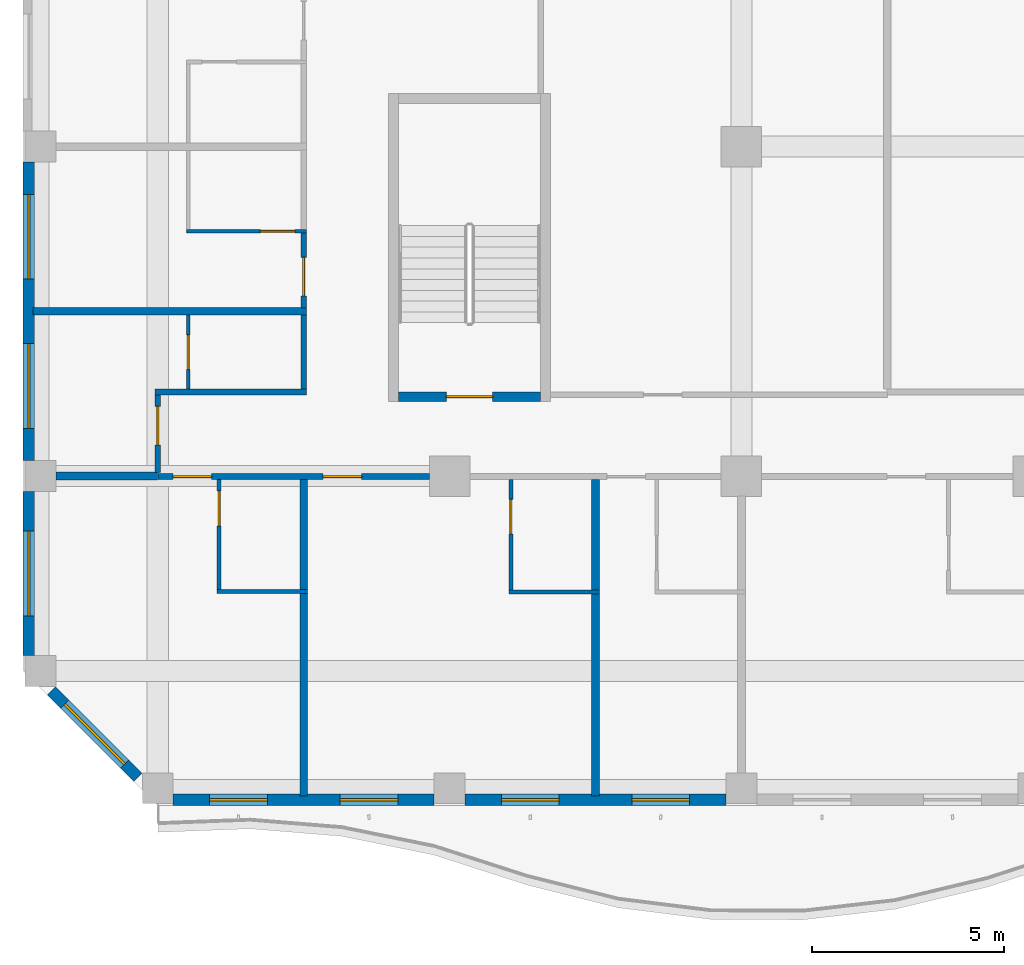
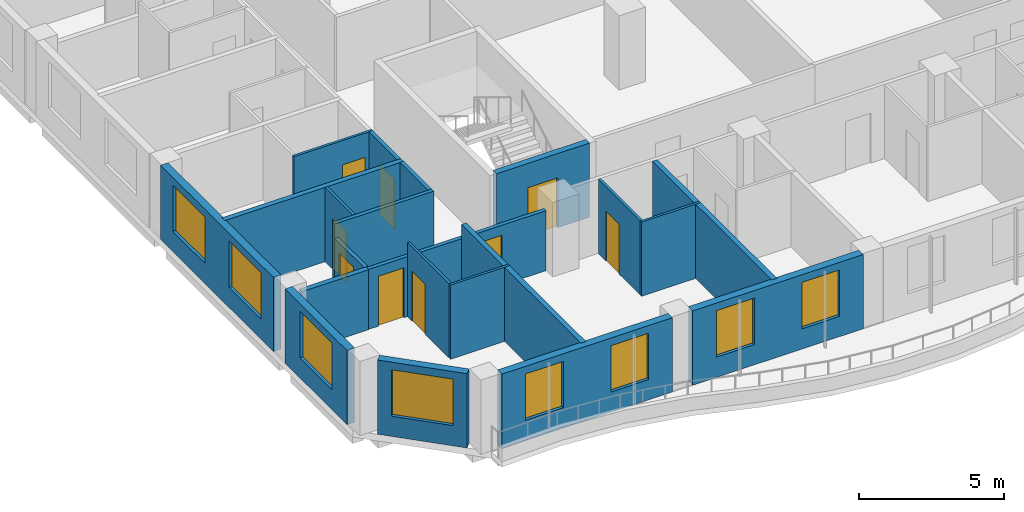
# One storey, part 2 of 21: 23 walls, 9 doors, 8 windows, 17 openings.
"""IFC4 building model written with IfcOpenShell, lengths in metres."""

from ifc_helpers import new_model, si_unit, direction, frame, frame_2d, origin, place, context, subcontext, project, spatial, rectangle, extrude, source, transform, mapped, material, layer, layer_set, type_object, element, fill, save


model = new_model("IFC4")

# Units and contexts
model_context = context("Model", 3, precision=1e-05, world=origin(), true_north=direction((0.0, 1.0)))
body_context = subcontext(model_context, "Body", "Model", "MODEL_VIEW")
ifc_project = project(units=[si_unit("LENGTHUNIT", "METRE"), si_unit("AREAUNIT", "SQUARE_METRE"), si_unit("VOLUMEUNIT", "CUBIC_METRE"), si_unit("PLANEANGLEUNIT", "RADIAN"), si_unit("MASSUNIT", "GRAM", prefix="KILO")], contexts=[model_context])

# Site, building, storey
site_placement = place(None, origin())
site = spatial("IfcSite", under=ifc_project, at=site_placement, CompositionType="ELEMENT")
building_placement = place(site_placement, origin())
building = spatial("IfcBuilding", under=site, at=building_placement, Name="Kilnfold Tower and Market Hall", CompositionType="ELEMENT")
storey_placement = place(building_placement, frame((0.0, 0.0, 182.10009765625)))
storey = spatial("IfcBuildingStorey", under=building, at=storey_placement, Name="L43", CompositionType="ELEMENT", Elevation=182.10009765625)

# Wall, openings, doors
ifc_material_1 = material(Name="Gypsum board on steel studs", Category="steel")
ifc_layer_1 = layer(ifc_material_1, 0.14990234375)
ifc_layer_set_1 = layer_set([ifc_layer_1], Name="Gypsum board on steel studs")
wall_type_1 = type_object("IfcWallType", Name="WALL CORRIDOR 150", PredefinedType="PARTITIONING", material=ifc_layer_set_1)
wall_1_placement = place(storey_placement, frame((-23.75, -17.699951171875, 0.0), z_axis=(0.0, 0.0, 1.0), x_axis=(1.0, 0.0, 0.0)))
wall_1 = element("IfcWall", 1, at=wall_1_placement, inside=storey, type_object=wall_type_1, Name="Partition LY27.1", PredefinedType="PARTITIONING", context=body_context, shape_type="SweptSolid", body=[
    extrude(rectangle(XDim=7.05810546875, YDim=0.14990234375, at=frame_2d((3.529052734375, 0.0))), origin(), (0.0, 0.0, 1.0), 2.52001953125),
])
opening_1_placement = place(wall_1_placement, frame((0.40087890625, 0.0, 0.0)))
opening_1 = element("IfcOpeningElement", 2, at=opening_1_placement, cuts=wall_1, Name="Opening D1", PredefinedType="OPENING", context=body_context, shape_type="SweptSolid", body=[
    extrude(rectangle(XDim=1.0, YDim=2.10009765625, at=frame_2d((0.5, 1.050048828125))), frame((0.0, 0.0849609375, 0.0), z_axis=(0.0, -1.0, 0.0), x_axis=(1.0, 0.0, 0.0)), (0.0, 0.0, 1.0), 0.169921875),
])
opening_2_placement = place(wall_1_placement, frame((4.2939453125, 0.0, 0.0)))
opening_2 = element("IfcOpeningElement", 3, at=opening_2_placement, cuts=wall_1, Name="Opening D1", PredefinedType="OPENING", context=body_context, shape_type="SweptSolid", body=[
    extrude(rectangle(XDim=1.0, YDim=2.10009765625, at=frame_2d((0.5, 1.050048828125))), frame((0.0, 0.0849609375, 0.0), z_axis=(0.0, -1.0, 0.0), x_axis=(1.0, 0.0, 0.0)), (0.0, 0.0, 1.0), 0.169921875),
])
ifc_material_2 = material(Name="Timber veneer door leaf in steel frame", Category="steel")
door_type_1 = type_object("IfcDoorType", Name="DOOR ENTRY 1000 X2100", OperationType="NOTDEFINED", PredefinedType="DOOR", material=ifc_material_2)
door_1_placement = place(opening_1_placement, origin())
door_1 = element("IfcDoor", 4, at=door_1_placement, inside=storey, type_object=door_type_1, Name="Door D1", OperationType="SINGLE_SWING_LEFT", OverallHeight=2.10009765625, OverallWidth=1.0, PredefinedType="DOOR", context=body_context, shape_type="SweptSolid", body=[
    extrude(rectangle(XDim=1.0, YDim=2.10009765625, at=frame_2d((0.5, 1.050048828125))), frame((0.0, 0.02490234375, 0.0), z_axis=(0.0, -1.0, 0.0), x_axis=(1.0, 0.0, 0.0)), (0.0, 0.0, 1.0), 0.050048828125),
])
fill(opening_1, door_1)
door_2_placement = place(opening_2_placement, origin())
door_2 = element("IfcDoor", 5, at=door_2_placement, inside=storey, type_object=door_type_1, Name="Door D1", OperationType="SINGLE_SWING_RIGHT", OverallHeight=2.10009765625, OverallWidth=1.0, PredefinedType="DOOR", context=body_context, shape_type="SweptSolid", body=[
    extrude(rectangle(XDim=1.0, YDim=2.10009765625, at=frame_2d((0.5, 1.050048828125))), frame((0.0, 0.02490234375, 0.0), z_axis=(0.0, -1.0, 0.0), x_axis=(1.0, 0.0, 0.0)), (0.0, 0.0, 1.0), 0.050048828125),
])
fill(opening_2, door_2)

# Wall, opening, door
wall_2_placement = place(storey_placement, frame((-23.75, -15.574951171875, 0.0), z_axis=(0.0, 0.0, 1.0), x_axis=(0.0, -1.0, 0.0)))
wall_2 = element("IfcWall", 6, at=wall_2_placement, inside=storey, type_object=wall_type_1, Name="Partition LY27.7", PredefinedType="PARTITIONING", context=body_context, shape_type="SweptSolid", body=[
    extrude(rectangle(XDim=2.02294921875, YDim=0.14990234375, at=frame_2d((1.011474609375, 0.0))), origin(), (0.0, 0.0, 1.0), 2.52001953125),
])
opening_3_placement = place(wall_2_placement, frame((0.303955078125, 0.0, 0.0)))
opening_3 = element("IfcOpeningElement", 7, at=opening_3_placement, cuts=wall_2, Name="Opening D1", PredefinedType="OPENING", context=body_context, shape_type="SweptSolid", body=[
    extrude(rectangle(XDim=1.0, YDim=2.10009765625, at=frame_2d((0.5, 1.050048828125))), frame((0.0, 0.0849609375, 0.0), z_axis=(0.0, -1.0, 0.0), x_axis=(1.0, 0.0, 0.0)), (0.0, 0.0, 1.0), 0.169921875),
])
door_3_placement = place(opening_3_placement, origin())
door_3 = element("IfcDoor", 8, at=door_3_placement, inside=storey, type_object=door_type_1, Name="Door D1", OperationType="SINGLE_SWING_RIGHT", OverallHeight=2.10009765625, OverallWidth=1.0, PredefinedType="DOOR", context=body_context, shape_type="SweptSolid", body=[
    extrude(rectangle(XDim=1.0, YDim=2.10009765625, at=frame_2d((0.5, 1.050048828125))), frame((0.0, 0.02490234375, 0.0), z_axis=(0.0, -1.0, 0.0), x_axis=(1.0, 0.0, 0.0)), (0.0, 0.0, 1.0), 0.050048828125),
])
fill(opening_3, door_3)

# Walls
wall_3_placement = place(storey_placement, frame((-23.824951171875, -15.5, 0.0), z_axis=(0.0, 0.0, 1.0), x_axis=(1.0, 0.0, 0.0)))
element("IfcWall", 9, at=wall_3_placement, inside=storey, type_object=wall_type_1, Name="Partition LY27.8", PredefinedType="PARTITIONING", context=body_context, shape_type="SweptSolid", body=[
    extrude(rectangle(XDim=3.94091796875, YDim=0.14990234375, at=frame_2d((1.970458984375, 0.0))), origin(), (0.0, 0.0, 1.0), 3.119873046875),
])
wall_4_placement = place(storey_placement, frame((-19.958984375, -15.425048828125, 0.0), z_axis=(0.0, 0.0, 1.0), x_axis=(0.0, 1.0, 0.0)))
element("IfcWall", 10, at=wall_4_placement, inside=storey, type_object=wall_type_1, Name="Partition LY27.9", PredefinedType="PARTITIONING", context=body_context, shape_type="SweptSolid", body=[
    extrude(rectangle(XDim=1.928955078125, YDim=0.14990234375, at=frame_2d((0.96435546875, 0.0))), origin(), (0.0, 0.0, 1.0), 3.119873046875),
])

# Wall, opening, door
wall_5_placement = place(storey_placement, frame((-19.958984375, -13.31591796875, 0.0), z_axis=(0.0, 0.0, 1.0), x_axis=(0.0, 1.0, 0.0)))
wall_5 = element("IfcWall", 11, at=wall_5_placement, inside=storey, type_object=wall_type_1, Name="Partition LY27.10", PredefinedType="PARTITIONING", context=body_context, shape_type="SweptSolid", body=[
    extrude(rectangle(XDim=1.950927734375, YDim=0.14990234375, at=frame_2d((0.9755859375, 0.0))), origin(), (0.0, 0.0, 1.0), 3.119873046875),
])
opening_4_placement = place(wall_5_placement, frame((0.31005859375, 0.0, 0.0)))
opening_4 = element("IfcOpeningElement", 12, at=opening_4_placement, cuts=wall_5, Name="Opening D1", PredefinedType="OPENING", context=body_context, shape_type="SweptSolid", body=[
    extrude(rectangle(XDim=1.0, YDim=2.10009765625, at=frame_2d((0.5, 1.050048828125))), frame((0.0, 0.0849609375, 0.0), z_axis=(0.0, -1.0, 0.0), x_axis=(1.0, 0.0, 0.0)), (0.0, 0.0, 1.0), 0.169921875),
])
door_4_placement = place(opening_4_placement, origin())
door_4 = element("IfcDoor", 13, at=door_4_placement, inside=storey, type_object=door_type_1, Name="Door D1", OperationType="SINGLE_SWING_LEFT", OverallHeight=2.10009765625, OverallWidth=1.0, PredefinedType="DOOR", context=body_context, shape_type="SweptSolid", body=[
    extrude(rectangle(XDim=1.0, YDim=2.10009765625, at=frame_2d((0.5, 1.050048828125))), frame((0.0, 0.02490234375, 0.0), z_axis=(0.0, -1.0, 0.0), x_axis=(1.0, 0.0, 0.0)), (0.0, 0.0, 1.0), 0.050048828125),
])
fill(opening_4, door_4)

ifc_material_3 = material(Name="Gypsum board on steel studs", Category="steel")
ifc_layer_2 = layer(ifc_material_3, 0.10009765625)
ifc_layer_set_2 = layer_set([ifc_layer_2], Name="Gypsum board on steel studs")
wall_type_2 = type_object("IfcWallType", Name="WALL PARTITION 100", PredefinedType="PARTITIONING", material=ifc_layer_set_2)
wall_6_placement = place(storey_placement, frame((-22.158935546875, -20.637939453125, 0.0), z_axis=(0.0, 0.0, 1.0), x_axis=(0.0, 1.0, 0.0)))
wall_6 = element("IfcWall", 14, at=wall_6_placement, inside=storey, type_object=wall_type_2, Name="Partition LY27.50", PredefinedType="PARTITIONING", context=body_context, shape_type="SweptSolid", body=[
    extrude(rectangle(XDim=2.86083984375, YDim=0.10009765625, at=frame_2d((1.430419921875, 0.0))), origin(), (0.0, 0.0, 1.0), 3.119873046875),
])
opening_5_placement = place(wall_6_placement, frame((1.656982421875, 0.0, 0.0)))
opening_5 = element("IfcOpeningElement", 15, at=opening_5_placement, cuts=wall_6, Name="Opening D3", PredefinedType="OPENING", context=body_context, shape_type="SweptSolid", body=[
    extrude(rectangle(XDim=0.89990234375, YDim=2.10009765625, at=frame_2d((0.449951171875, 1.050048828125))), frame((0.0, 0.06005859375, 0.0), z_axis=(0.0, -1.0, 0.0), x_axis=(1.0, 0.0, 0.0)), (0.0, 0.0, 1.0), 0.1201171875),
])
ifc_material_4 = material(Name="Timber veneer door leaf in steel frame", Category="steel")
door_type_2 = type_object("IfcDoorType", Name="DOOR WC 900 X2100", OperationType="NOTDEFINED", PredefinedType="DOOR", material=ifc_material_4)
door_5_placement = place(opening_5_placement, origin())
door_5 = element("IfcDoor", 16, at=door_5_placement, inside=storey, type_object=door_type_2, Name="Door D3", OperationType="SINGLE_SWING_LEFT", OverallHeight=2.10009765625, OverallWidth=0.89990234375, PredefinedType="DOOR", context=body_context, shape_type="SweptSolid", body=[
    extrude(rectangle(XDim=0.89990234375, YDim=2.10009765625, at=frame_2d((0.449951171875, 1.050048828125))), frame((0.0, 0.02490234375, 0.0), z_axis=(0.0, -1.0, 0.0), x_axis=(1.0, 0.0, 0.0)), (0.0, 0.0, 1.0), 0.050048828125),
])
fill(opening_5, door_5)

# Wall
wall_7_placement = place(storey_placement, frame((-22.208984375, -20.68798828125, 0.0), z_axis=(0.0, 0.0, 1.0), x_axis=(1.0, 0.0, 0.0)))
element("IfcWall", 17, at=wall_7_placement, inside=storey, type_object=wall_type_2, Name="Partition LY27.51", PredefinedType="PARTITIONING", context=body_context, shape_type="SweptSolid", body=[
    extrude(rectangle(XDim=2.35009765625, YDim=0.10009765625, at=frame_2d((1.175048828125, 0.0))), origin(), (0.0, 0.0, 1.0), 3.119873046875),
])

# Wall, opening, door
wall_8_placement = place(storey_placement, frame((-14.574951171875, -20.652099609375, 0.0), z_axis=(0.0, 0.0, 1.0), x_axis=(0.0, 1.0, 0.0)))
wall_8 = element("IfcWall", 18, at=wall_8_placement, inside=storey, type_object=wall_type_2, Name="Partition LY27.55", PredefinedType="PARTITIONING", context=body_context, shape_type="SweptSolid", body=[
    extrude(rectangle(XDim=2.875, YDim=0.10009765625, at=frame_2d((1.4375, 0.0))), origin(), (0.0, 0.0, 1.0), 3.119873046875),
])
opening_6_placement = place(wall_8_placement, frame((1.4599609375, 0.0, 0.0)))
opening_6 = element("IfcOpeningElement", 19, at=opening_6_placement, cuts=wall_8, Name="Opening D3", PredefinedType="OPENING", context=body_context, shape_type="SweptSolid", body=[
    extrude(rectangle(XDim=0.89990234375, YDim=2.10009765625, at=frame_2d((0.449951171875, 1.050048828125))), frame((0.0, 0.06005859375, 0.0), z_axis=(0.0, -1.0, 0.0), x_axis=(1.0, 0.0, 0.0)), (0.0, 0.0, 1.0), 0.1201171875),
])
door_6_placement = place(opening_6_placement, origin())
door_6 = element("IfcDoor", 20, at=door_6_placement, inside=storey, type_object=door_type_2, Name="Door D3", OperationType="SINGLE_SWING_LEFT", OverallHeight=2.10009765625, OverallWidth=0.89990234375, PredefinedType="DOOR", context=body_context, shape_type="SweptSolid", body=[
    extrude(rectangle(XDim=0.89990234375, YDim=2.10009765625, at=frame_2d((0.449951171875, 1.050048828125))), frame((0.0, 0.02490234375, 0.0), z_axis=(0.0, -1.0, 0.0), x_axis=(1.0, 0.0, 0.0)), (0.0, 0.0, 1.0), 0.050048828125),
])
fill(opening_6, door_6)

# Wall
wall_9_placement = place(storey_placement, frame((-14.625, -20.701904296875, 0.0), z_axis=(0.0, 0.0, 1.0), x_axis=(1.0, 0.0, 0.0)))
element("IfcWall", 21, at=wall_9_placement, inside=storey, type_object=wall_type_2, Name="Partition LY27.56", PredefinedType="PARTITIONING", context=body_context, shape_type="SweptSolid", body=[
    extrude(rectangle(XDim=2.35009765625, YDim=0.10009765625, at=frame_2d((1.175048828125, 0.0))), origin(), (0.0, 0.0, 1.0), 3.119873046875),
])

# Wall, opening, door
wall_10_placement = place(storey_placement, frame((-22.9609375, -15.423095703125, 0.0), z_axis=(0.0, 0.0, 1.0), x_axis=(0.0, 1.0, 0.0)))
wall_10 = element("IfcWall", 22, at=wall_10_placement, inside=storey, type_object=wall_type_2, Name="Partition LY27.83", PredefinedType="PARTITIONING", context=body_context, shape_type="SweptSolid", body=[
    extrude(rectangle(XDim=1.9169921875, YDim=0.10009765625, at=frame_2d((0.95849609375, 0.0))), origin(), (0.0, 0.0, 1.0), 3.119873046875),
])
opening_7_placement = place(wall_10_placement, frame((0.508056640625, 0.0, 0.0)))
opening_7 = element("IfcOpeningElement", 23, at=opening_7_placement, cuts=wall_10, Name="Opening D3", PredefinedType="OPENING", context=body_context, shape_type="SweptSolid", body=[
    extrude(rectangle(XDim=0.89990234375, YDim=2.10009765625, at=frame_2d((0.449951171875, 1.050048828125))), frame((0.0, 0.06005859375, 0.0), z_axis=(0.0, -1.0, 0.0), x_axis=(1.0, 0.0, 0.0)), (0.0, 0.0, 1.0), 0.1201171875),
])
door_7_placement = place(opening_7_placement, origin())
door_7 = element("IfcDoor", 24, at=door_7_placement, inside=storey, type_object=door_type_2, Name="Door D3", OperationType="SINGLE_SWING_RIGHT", OverallHeight=2.10009765625, OverallWidth=0.89990234375, PredefinedType="DOOR", context=body_context, shape_type="SweptSolid", body=[
    extrude(rectangle(XDim=0.89990234375, YDim=2.10009765625, at=frame_2d((0.449951171875, 1.050048828125))), frame((0.0, 0.02490234375, 0.0), z_axis=(0.0, -1.0, 0.0), x_axis=(1.0, 0.0, 0.0)), (0.0, 0.0, 1.0), 0.050048828125),
])
fill(opening_7, door_7)

wall_11_placement = place(storey_placement, frame((-19.885986328125, -11.324951171875, 0.0), z_axis=(0.0, 0.0, 1.0), x_axis=(-1.0, 0.0, 0.0)))
wall_11 = element("IfcWall", 25, at=wall_11_placement, inside=storey, type_object=wall_type_2, Name="Partition LY27.85", PredefinedType="PARTITIONING", context=body_context, shape_type="SweptSolid", body=[
    extrude(rectangle(XDim=3.125, YDim=0.10009765625, at=frame_2d((1.5625, 0.0))), origin(), (0.0, 0.0, 1.0), 3.119873046875),
])
opening_8_placement = place(wall_11_placement, frame((0.301025390625, 0.0, 0.0)))
opening_8 = element("IfcOpeningElement", 26, at=opening_8_placement, cuts=wall_11, Name="Opening D3", PredefinedType="OPENING", context=body_context, shape_type="SweptSolid", body=[
    extrude(rectangle(XDim=0.89990234375, YDim=2.10009765625, at=frame_2d((0.449951171875, 1.050048828125))), frame((0.0, 0.06005859375, 0.0), z_axis=(0.0, -1.0, 0.0), x_axis=(1.0, 0.0, 0.0)), (0.0, 0.0, 1.0), 0.1201171875),
])
door_8_placement = place(opening_8_placement, origin())
door_8 = element("IfcDoor", 27, at=door_8_placement, inside=storey, type_object=door_type_2, Name="Door D3", OperationType="SINGLE_SWING_RIGHT", OverallHeight=2.10009765625, OverallWidth=0.89990234375, PredefinedType="DOOR", context=body_context, shape_type="SweptSolid", body=[
    extrude(rectangle(XDim=0.89990234375, YDim=2.10009765625, at=frame_2d((0.449951171875, 1.050048828125))), frame((0.0, 0.02490234375, 0.0), z_axis=(0.0, -1.0, 0.0), x_axis=(1.0, 0.0, 0.0)), (0.0, 0.0, 1.0), 0.050048828125),
])
fill(opening_8, door_8)

# Walls
ifc_material_5 = material(Name="Gypsum board on steel studs", Category="steel")
ifc_layer_3 = layer(ifc_material_5, 0.199951171875)
ifc_layer_set_3 = layer_set([ifc_layer_3], Name="Gypsum board on steel studs")
wall_type_3 = type_object("IfcWallType", Name="WALL PARTY 200", PredefinedType="PARTITIONING", material=ifc_layer_set_3)
wall_12_placement = place(storey_placement, frame((-19.958984375, -26.0, 0.0), z_axis=(0.0, 0.0, 1.0), x_axis=(0.0, 1.0, 0.0)))
element("IfcWall", 28, at=wall_12_placement, inside=storey, type_object=wall_type_3, Name="Partition LY27.52", PredefinedType="PARTITIONING", context=body_context, shape_type="SweptSolid", body=[
    extrude(rectangle(XDim=5.261962890625, YDim=0.199951171875, at=frame_2d((2.630859375, 0.0))), origin(), (0.0, 0.0, 1.0), 3.119873046875),
])
wall_13_placement = place(storey_placement, frame((-26.39990234375, -17.68798828125, 0.0), z_axis=(0.0, 0.0, 1.0), x_axis=(1.0, 0.0, 0.0)))
element("IfcWall", 29, at=wall_13_placement, inside=storey, type_object=wall_type_3, Name="Partition LY27.53", PredefinedType="PARTITIONING", context=body_context, shape_type="SweptSolid", body=[
    extrude(rectangle(XDim=2.64794921875, YDim=0.199951171875, at=frame_2d((1.323974609375, 0.0))), origin(), (0.0, 0.0, 1.0), 2.52001953125),
])
wall_14_placement = place(storey_placement, frame((-19.958984375, -20.637939453125, 0.0), z_axis=(0.0, 0.0, 1.0), x_axis=(0.0, 1.0, 0.0)))
element("IfcWall", 30, at=wall_14_placement, inside=storey, type_object=wall_type_3, Name="Partition LY27.54", PredefinedType="PARTITIONING", context=body_context, shape_type="SweptSolid", body=[
    extrude(rectangle(XDim=2.86083984375, YDim=0.199951171875, at=frame_2d((1.430419921875, 0.0))), origin(), (0.0, 0.0, 1.0), 3.119873046875),
])
wall_15_placement = place(storey_placement, frame((-12.375, -26.0, 0.0), z_axis=(0.0, 0.0, 1.0), x_axis=(0.0, 1.0, 0.0)))
element("IfcWall", 31, at=wall_15_placement, inside=storey, type_object=wall_type_3, Name="Partition LY27.57", PredefinedType="PARTITIONING", context=body_context, shape_type="SweptSolid", body=[
    extrude(rectangle(XDim=5.248046875, YDim=0.199951171875, at=frame_2d((2.6240234375, 0.0))), origin(), (0.0, 0.0, 1.0), 3.119873046875),
])
wall_16_placement = place(storey_placement, frame((-12.375, -20.652099609375, 0.0), z_axis=(0.0, 0.0, 1.0), x_axis=(0.0, 1.0, 0.0)))
element("IfcWall", 32, at=wall_16_placement, inside=storey, type_object=wall_type_3, Name="Partition LY27.58", PredefinedType="PARTITIONING", context=body_context, shape_type="SweptSolid", body=[
    extrude(rectangle(XDim=2.875, YDim=0.199951171875, at=frame_2d((1.4375, 0.0))), origin(), (0.0, 0.0, 1.0), 3.119873046875),
])
wall_17_placement = place(storey_placement, frame((-27.0, -13.406005859375, 0.0), z_axis=(0.0, 0.0, 1.0), x_axis=(1.0, 0.0, 0.0)))
element("IfcWall", 33, at=wall_17_placement, inside=storey, type_object=wall_type_3, Name="Partition LY27.84", PredefinedType="PARTITIONING", context=body_context, shape_type="SweptSolid", body=[
    extrude(rectangle(XDim=7.114013671875, YDim=0.199951171875, at=frame_2d((3.55712890625, 0.0))), origin(), (0.0, 0.0, 1.0), 3.119873046875),
])

# Wall, opening, door
ifc_material_6 = material(Name="Concrete C60", Category="concrete")
ifc_layer_4 = layer(ifc_material_6, 0.25)
ifc_layer_set_4 = layer_set([ifc_layer_4], Name="Concrete C60")
wall_type_4 = type_object("IfcWallType", Name="CORE WALL 250 C60", PredefinedType="SHEAR", material=ifc_layer_set_4)
shared_shape_1 = source(origin(), body_context, "Body", "SweptSolid", [
    extrude(rectangle(XDim=3.699951171875, YDim=0.25, at=frame_2d((1.85009765625, 0.0))), origin(), (0.0, 0.0, 1.0), 3.119873046875),
])
wall_18_placement = place(storey_placement, frame((-17.5, -15.625, 0.0), z_axis=(0.0, 0.0, 1.0), x_axis=(1.0, 0.0, 0.0)))
wall_18 = element("IfcWall", 34, at=wall_18_placement, inside=storey, type_object=wall_type_4, Name="Stair enclosure ST3", PredefinedType="SHEAR", context=body_context, shape_type="MappedRepresentation", body=[
    mapped(shared_shape_1, transform((0.0, 0.0, 0.0))),
])
opening_9_placement = place(wall_18_placement, frame((1.25, 0.0, 0.0)))
opening_9 = element("IfcOpeningElement", 35, at=opening_9_placement, cuts=wall_18, Name="Opening SD1", PredefinedType="OPENING", context=body_context, shape_type="SweptSolid", body=[
    extrude(rectangle(XDim=1.199951171875, YDim=2.10009765625, at=frame_2d((0.60009765625, 1.050048828125))), frame((0.0, 0.135009765625, 0.0), z_axis=(0.0, -1.0, 0.0), x_axis=(1.0, 0.0, 0.0)), (0.0, 0.0, 1.0), 0.27001953125),
])
ifc_material_7 = material(Name="Steel door set with fire-resisting leaf", Category="steel")
door_type_3 = type_object("IfcDoorType", Name="STAIR FLOOR DOOR 1200X2100", OperationType="NOTDEFINED", PredefinedType="DOOR", material=ifc_material_7)
door_9_placement = place(opening_9_placement, origin())
door_9 = element("IfcDoor", 36, at=door_9_placement, inside=storey, type_object=door_type_3, Name="Exit stair ST3 door", OperationType="DOUBLE_DOOR_SINGLE_SWING", OverallHeight=2.10009765625, OverallWidth=1.199951171875, PredefinedType="DOOR", context=body_context, shape_type="SweptSolid", body=[
    extrude(rectangle(XDim=1.199951171875, YDim=2.10009765625, at=frame_2d((0.60009765625, 1.050048828125))), frame((0.0, 0.02490234375, 0.0), z_axis=(0.0, -1.0, 0.0), x_axis=(1.0, 0.0, 0.0)), (0.0, 0.0, 1.0), 0.050048828125),
])
fill(opening_9, door_9)

# Wall, openings, windows
ifc_material_8 = material(Name="Precast concrete C50/60", Category="concrete")
ifc_layer_5 = layer(ifc_material_8, 0.300048828125)
ifc_layer_set_5 = layer_set([ifc_layer_5], Name="Precast concrete C50/60")
wall_type_5 = type_object("IfcWallType", Name="PRECAST WALL 300", PredefinedType="SOLIDWALL", material=ifc_layer_set_5)
shared_shape_2 = source(origin(), body_context, "Body", "SweptSolid", [
    extrude(rectangle(XDim=6.783447265625, YDim=0.300048828125, at=frame_2d((3.3916015625, 0.0))), origin(), (0.0, 0.0, 1.0), 3.119873046875),
])
wall_19_placement = place(storey_placement, frame((-23.35009765625, -26.10009765625, 0.0), z_axis=(0.0, 0.0, 1.0), x_axis=(1.0, 0.0, 0.0)))
wall_19 = element("IfcWall", 37, at=wall_19_placement, inside=storey, type_object=wall_type_5, Name="External wall L43 S", PredefinedType="SOLIDWALL", context=body_context, shape_type="MappedRepresentation", body=[
    mapped(shared_shape_2, transform((0.0, 0.0, 0.0))),
])
opening_10_placement = place(wall_19_placement, frame((0.94580078125, 0.0, 0.85009765625)))
opening_10 = element("IfcOpeningElement", 38, at=opening_10_placement, cuts=wall_19, Name="Opening W4", PredefinedType="OPENING", context=body_context, shape_type="SweptSolid", body=[
    extrude(rectangle(XDim=1.5, YDim=1.949951171875, at=frame_2d((0.75, 0.97509765625))), frame((0.0, 0.16015625, 0.0), z_axis=(0.0, -1.0, 0.0), x_axis=(1.0, 0.0, 0.0)), (0.0, 0.0, 1.0), 0.320068359375),
])
opening_11_placement = place(wall_19_placement, frame((4.33740234375, 0.0, 0.85009765625)))
opening_11 = element("IfcOpeningElement", 39, at=opening_11_placement, cuts=wall_19, Name="Opening W4", PredefinedType="OPENING", context=body_context, shape_type="SweptSolid", body=[
    extrude(rectangle(XDim=1.5, YDim=1.949951171875, at=frame_2d((0.75, 0.97509765625))), frame((0.0, 0.16015625, 0.0), z_axis=(0.0, -1.0, 0.0), x_axis=(1.0, 0.0, 0.0)), (0.0, 0.0, 1.0), 0.320068359375),
])
ifc_material_9 = material(Name="Aluminium frame and double glazing", Category="aluminium")
window_type_1 = type_object("IfcWindowType", Name="WINDOW W4 1500X1950", PartitioningType="SINGLE_PANEL", PredefinedType="WINDOW", material=ifc_material_9)
window_1_placement = place(opening_10_placement, origin())
window_1 = element("IfcWindow", 40, at=window_1_placement, inside=storey, type_object=window_type_1, Name="Window W4 L43 S-1", OverallHeight=1.949951171875, OverallWidth=1.5, PartitioningType="SINGLE_PANEL", PredefinedType="WINDOW", context=body_context, shape_type="SweptSolid", body=[
    extrude(rectangle(XDim=1.5, YDim=1.949951171875, at=frame_2d((0.75, 0.97509765625))), frame((0.0, 0.030029296875, 0.0), z_axis=(0.0, -1.0, 0.0), x_axis=(1.0, 0.0, 0.0)), (0.0, 0.0, 1.0), 0.06005859375),
])
fill(opening_10, window_1)
window_2_placement = place(opening_11_placement, origin())
window_2 = element("IfcWindow", 41, at=window_2_placement, inside=storey, type_object=window_type_1, Name="Window W4 L43 S-2", OverallHeight=1.949951171875, OverallWidth=1.5, PartitioningType="SINGLE_PANEL", PredefinedType="WINDOW", context=body_context, shape_type="SweptSolid", body=[
    extrude(rectangle(XDim=1.5, YDim=1.949951171875, at=frame_2d((0.75, 0.97509765625))), frame((0.0, 0.030029296875, 0.0), z_axis=(0.0, -1.0, 0.0), x_axis=(1.0, 0.0, 0.0)), (0.0, 0.0, 1.0), 0.06005859375),
])
fill(opening_11, window_2)

shared_shape_3 = source(origin(), body_context, "Body", "SweptSolid", [
    extrude(rectangle(XDim=6.783203125, YDim=0.300048828125, at=frame_2d((3.3916015625, 0.0))), origin(), (0.0, 0.0, 1.0), 3.119873046875),
])
wall_20_placement = place(storey_placement, frame((-15.7666015625, -26.10009765625, 0.0), z_axis=(0.0, 0.0, 1.0), x_axis=(1.0, 0.0, 0.0)))
wall_20 = element("IfcWall", 42, at=wall_20_placement, inside=storey, type_object=wall_type_5, Name="External wall L43 S", PredefinedType="SOLIDWALL", context=body_context, shape_type="MappedRepresentation", body=[
    mapped(shared_shape_3, transform((0.0, 0.0, 0.0))),
])
opening_12_placement = place(wall_20_placement, frame((0.94580078125, 0.0, 0.85009765625)))
opening_12 = element("IfcOpeningElement", 43, at=opening_12_placement, cuts=wall_20, Name="Opening W4", PredefinedType="OPENING", context=body_context, shape_type="SweptSolid", body=[
    extrude(rectangle(XDim=1.5, YDim=1.949951171875, at=frame_2d((0.75, 0.97509765625))), frame((0.0, 0.16015625, 0.0), z_axis=(0.0, -1.0, 0.0), x_axis=(1.0, 0.0, 0.0)), (0.0, 0.0, 1.0), 0.320068359375),
])
opening_13_placement = place(wall_20_placement, frame((4.337646484375, 0.0, 0.85009765625)))
opening_13 = element("IfcOpeningElement", 44, at=opening_13_placement, cuts=wall_20, Name="Opening W4", PredefinedType="OPENING", context=body_context, shape_type="SweptSolid", body=[
    extrude(rectangle(XDim=1.5, YDim=1.949951171875, at=frame_2d((0.75, 0.97509765625))), frame((0.0, 0.16015625, 0.0), z_axis=(0.0, -1.0, 0.0), x_axis=(1.0, 0.0, 0.0)), (0.0, 0.0, 1.0), 0.320068359375),
])
window_3_placement = place(opening_12_placement, origin())
window_3 = element("IfcWindow", 45, at=window_3_placement, inside=storey, type_object=window_type_1, Name="Window W4 L43 S-1", OverallHeight=1.949951171875, OverallWidth=1.5, PartitioningType="SINGLE_PANEL", PredefinedType="WINDOW", context=body_context, shape_type="SweptSolid", body=[
    extrude(rectangle(XDim=1.5, YDim=1.949951171875, at=frame_2d((0.75, 0.97509765625))), frame((0.0, 0.030029296875, 0.0), z_axis=(0.0, -1.0, 0.0), x_axis=(1.0, 0.0, 0.0)), (0.0, 0.0, 1.0), 0.06005859375),
])
fill(opening_12, window_3)
window_4_placement = place(opening_13_placement, origin())
window_4 = element("IfcWindow", 46, at=window_4_placement, inside=storey, type_object=window_type_1, Name="Window W4 L43 S-2", OverallHeight=1.949951171875, OverallWidth=1.5, PartitioningType="SINGLE_PANEL", PredefinedType="WINDOW", context=body_context, shape_type="SweptSolid", body=[
    extrude(rectangle(XDim=1.5, YDim=1.949951171875, at=frame_2d((0.75, 0.97509765625))), frame((0.0, 0.030029296875, 0.0), z_axis=(0.0, -1.0, 0.0), x_axis=(1.0, 0.0, 0.0)), (0.0, 0.0, 1.0), 0.06005859375),
])
fill(opening_13, window_4)

# Wall, opening, window
shared_shape_4 = source(origin(), body_context, "Body", "SweptSolid", [
    extrude(rectangle(XDim=3.18212890625, YDim=0.300048828125, at=frame_2d((1.591064453125, 0.0))), origin(), (0.0, 0.0, 1.0), 3.119873046875),
])
wall_21_placement = place(storey_placement, frame((-26.518798828125, -23.268798828125, 0.0), z_axis=(0.0, 0.0, 1.0), x_axis=(0.707068419229, -0.707145141063, 0.0)))
wall_21 = element("IfcWall", 47, at=wall_21_placement, inside=storey, type_object=wall_type_5, Name="External wall L43 SW", PredefinedType="SOLIDWALL", context=body_context, shape_type="MappedRepresentation", body=[
    mapped(shared_shape_4, transform((0.0, 0.0, 0.0))),
])
opening_14_placement = place(wall_21_placement, frame((0.490966796875, 0.0, 0.85009765625)))
opening_14 = element("IfcOpeningElement", 48, at=opening_14_placement, cuts=wall_21, Name="Opening W2", PredefinedType="OPENING", context=body_context, shape_type="SweptSolid", body=[
    extrude(rectangle(XDim=2.199951171875, YDim=1.949951171875, at=frame_2d((1.10009765625, 0.97509765625))), frame((0.0, 0.16015625, 0.0), z_axis=(0.0, -1.0, 0.0), x_axis=(1.0, 0.0, 0.0)), (0.0, 0.0, 1.0), 0.320068359375),
])
ifc_material_10 = material(Name="Aluminium frame and double glazing", Category="aluminium")
window_type_2 = type_object("IfcWindowType", Name="WINDOW W2 2200X1950", PartitioningType="SINGLE_PANEL", PredefinedType="WINDOW", material=ifc_material_10)
window_5_placement = place(opening_14_placement, origin())
window_5 = element("IfcWindow", 49, at=window_5_placement, inside=storey, type_object=window_type_2, Name="Window W2 L43 SW-1", OverallHeight=1.949951171875, OverallWidth=2.199951171875, PartitioningType="SINGLE_PANEL", PredefinedType="WINDOW", context=body_context, shape_type="SweptSolid", body=[
    extrude(rectangle(XDim=2.199951171875, YDim=1.949951171875, at=frame_2d((1.10009765625, 0.97509765625))), frame((0.0, 0.030029296875, 0.0), z_axis=(0.0, -1.0, 0.0), x_axis=(1.0, 0.0, 0.0)), (0.0, 0.0, 1.0), 0.06005859375),
])
fill(opening_14, window_5)

# Wall, openings, windows
shared_shape_5 = source(origin(), body_context, "Body", "SweptSolid", [
    extrude(rectangle(XDim=7.7626953125, YDim=0.300048828125, at=frame_2d((3.88134765625, 0.0))), origin(), (0.0, 0.0, 1.0), 3.119873046875),
])
wall_22_placement = place(storey_placement, frame((-27.10009765625, -9.52490234375, 0.0), z_axis=(0.0, 0.0, 1.0), x_axis=(0.0, -1.0, 0.0)))
wall_22 = element("IfcWall", 50, at=wall_22_placement, inside=storey, type_object=wall_type_5, Name="External wall L43 W", PredefinedType="SOLIDWALL", context=body_context, shape_type="MappedRepresentation", body=[
    mapped(shared_shape_5, transform((0.0, 0.0, 0.0))),
])
opening_15_placement = place(wall_22_placement, frame((0.840576171875, 0.0, 0.85009765625)))
opening_15 = element("IfcOpeningElement", 51, at=opening_15_placement, cuts=wall_22, Name="Opening W2", PredefinedType="OPENING", context=body_context, shape_type="SweptSolid", body=[
    extrude(rectangle(XDim=2.199951171875, YDim=1.949951171875, at=frame_2d((1.10009765625, 0.97509765625))), frame((0.0, 0.16015625, 0.0), z_axis=(0.0, -1.0, 0.0), x_axis=(1.0, 0.0, 0.0)), (0.0, 0.0, 1.0), 0.320068359375),
])
opening_16_placement = place(wall_22_placement, frame((4.721923828125, 0.0, 0.85009765625)))
opening_16 = element("IfcOpeningElement", 52, at=opening_16_placement, cuts=wall_22, Name="Opening W2", PredefinedType="OPENING", context=body_context, shape_type="SweptSolid", body=[
    extrude(rectangle(XDim=2.199951171875, YDim=1.949951171875, at=frame_2d((1.10009765625, 0.97509765625))), frame((0.0, 0.16015625, 0.0), z_axis=(0.0, -1.0, 0.0), x_axis=(1.0, 0.0, 0.0)), (0.0, 0.0, 1.0), 0.320068359375),
])
window_6_placement = place(opening_15_placement, origin())
window_6 = element("IfcWindow", 53, at=window_6_placement, inside=storey, type_object=window_type_2, Name="Window W2 L43 W-1", OverallHeight=1.949951171875, OverallWidth=2.199951171875, PartitioningType="SINGLE_PANEL", PredefinedType="WINDOW", context=body_context, shape_type="SweptSolid", body=[
    extrude(rectangle(XDim=2.199951171875, YDim=1.949951171875, at=frame_2d((1.10009765625, 0.97509765625))), frame((0.0, 0.030029296875, 0.0), z_axis=(0.0, -1.0, 0.0), x_axis=(1.0, 0.0, 0.0)), (0.0, 0.0, 1.0), 0.06005859375),
])
fill(opening_15, window_6)
window_7_placement = place(opening_16_placement, origin())
window_7 = element("IfcWindow", 54, at=window_7_placement, inside=storey, type_object=window_type_2, Name="Window W2 L43 W-2", OverallHeight=1.949951171875, OverallWidth=2.199951171875, PartitioningType="SINGLE_PANEL", PredefinedType="WINDOW", context=body_context, shape_type="SweptSolid", body=[
    extrude(rectangle(XDim=2.199951171875, YDim=1.949951171875, at=frame_2d((1.10009765625, 0.97509765625))), frame((0.0, 0.030029296875, 0.0), z_axis=(0.0, -1.0, 0.0), x_axis=(1.0, 0.0, 0.0)), (0.0, 0.0, 1.0), 0.06005859375),
])
fill(opening_16, window_7)

# Wall, opening, window
shared_shape_6 = source(origin(), body_context, "Body", "SweptSolid", [
    extrude(rectangle(XDim=4.2626953125, YDim=0.300048828125, at=frame_2d((2.13134765625, 0.0))), origin(), (0.0, 0.0, 1.0), 3.119873046875),
])
wall_23_placement = place(storey_placement, frame((-27.10009765625, -18.08740234375, 0.0), z_axis=(0.0, 0.0, 1.0), x_axis=(0.0, -1.0, 0.0)))
wall_23 = element("IfcWall", 55, at=wall_23_placement, inside=storey, type_object=wall_type_5, Name="External wall L43 W", PredefinedType="SOLIDWALL", context=body_context, shape_type="MappedRepresentation", body=[
    mapped(shared_shape_6, transform((0.0, 0.0, 0.0))),
])
opening_17_placement = place(wall_23_placement, frame((1.03125, 0.0, 0.85009765625)))
opening_17 = element("IfcOpeningElement", 56, at=opening_17_placement, cuts=wall_23, Name="Opening W2", PredefinedType="OPENING", context=body_context, shape_type="SweptSolid", body=[
    extrude(rectangle(XDim=2.199951171875, YDim=1.949951171875, at=frame_2d((1.10009765625, 0.97509765625))), frame((0.0, 0.16015625, 0.0), z_axis=(0.0, -1.0, 0.0), x_axis=(1.0, 0.0, 0.0)), (0.0, 0.0, 1.0), 0.320068359375),
])
window_8_placement = place(opening_17_placement, origin())
window_8 = element("IfcWindow", 57, at=window_8_placement, inside=storey, type_object=window_type_2, Name="Window W2 L43 W-1", OverallHeight=1.949951171875, OverallWidth=2.199951171875, PartitioningType="SINGLE_PANEL", PredefinedType="WINDOW", context=body_context, shape_type="SweptSolid", body=[
    extrude(rectangle(XDim=2.199951171875, YDim=1.949951171875, at=frame_2d((1.10009765625, 0.97509765625))), frame((0.0, 0.030029296875, 0.0), z_axis=(0.0, -1.0, 0.0), x_axis=(1.0, 0.0, 0.0)), (0.0, 0.0, 1.0), 0.06005859375),
])
fill(opening_17, window_8)

save(model, "model.ifc")
